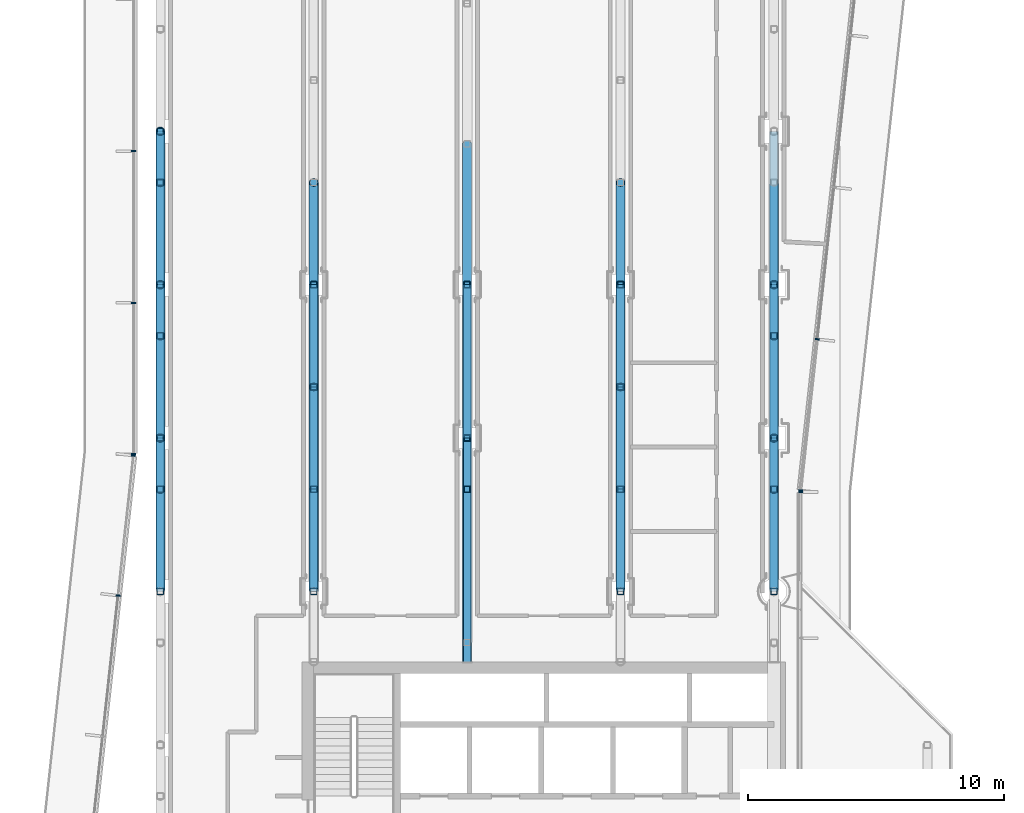
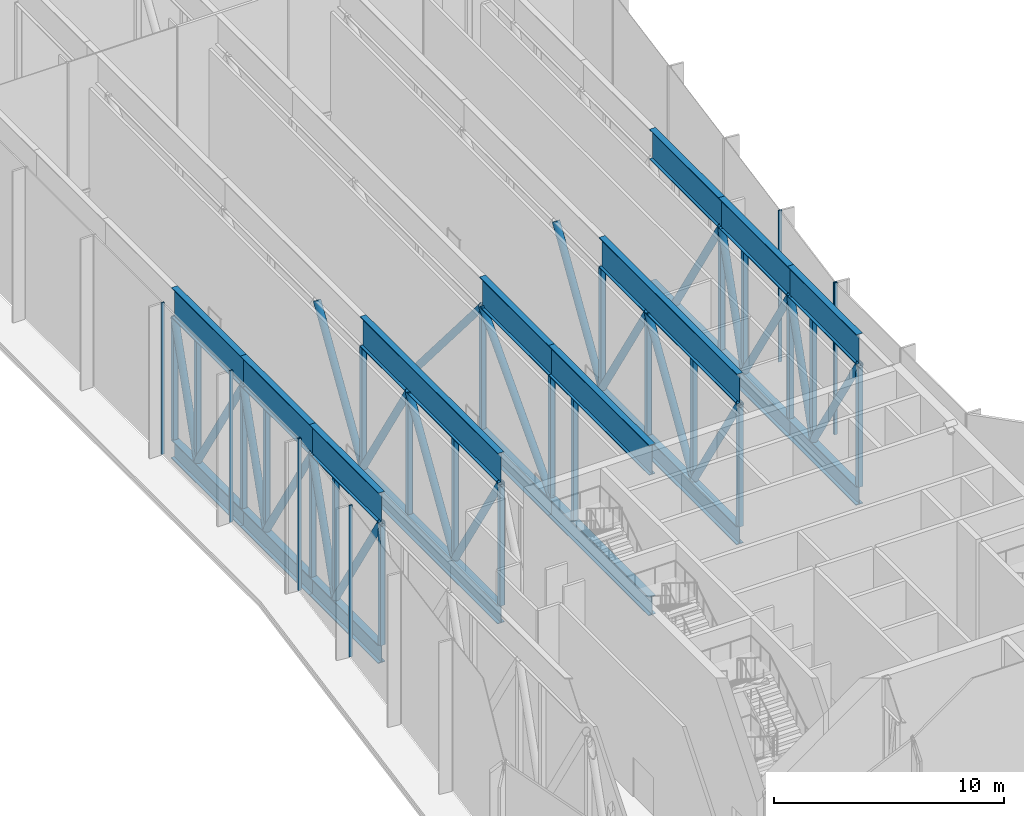
# One storey, part 5 of 21: 72 members, 4 elements without a shape of their own.
"""IFC4 building model written with IfcOpenShell, lengths in metres."""

from ifc_helpers import new_model, si_unit, direction, frame, origin, origin_2d, place, context, subcontext, project, spatial, rectangle, hollow_rectangle, hollow_circle, i_section, extrude, material, layer, layer_set, material_profile, profile_set, type_object, element, aggregate, save


model = new_model("IFC4")

# Units and contexts
model_context = context("Model", 3, precision=1e-05, world=origin(), true_north=direction((0.0, 1.0)))
body_context = subcontext(model_context, "Body", "Model", "MODEL_VIEW")
ifc_project = project(units=[si_unit("LENGTHUNIT", "METRE"), si_unit("AREAUNIT", "SQUARE_METRE"), si_unit("VOLUMEUNIT", "CUBIC_METRE"), si_unit("PLANEANGLEUNIT", "RADIAN"), si_unit("MASSUNIT", "GRAM", prefix="KILO")], contexts=[model_context])

# Site, building, storey
site_placement = place(None, origin())
site = spatial("IfcSite", under=ifc_project, at=site_placement, CompositionType="ELEMENT")
building_placement = place(site_placement, origin())
building = spatial("IfcBuilding", under=site, at=building_placement, Name="Welwitschia Terrace Campus", CompositionType="ELEMENT")
storey_placement = place(building_placement, frame((0.0, 0.0, 255.800048828125)))
storey = spatial("IfcBuildingStorey", under=building, at=storey_placement, Name="L57", CompositionType="ELEMENT", Elevation=255.800048828125)

# Curtain wall, member
ifc_material_1 = material(Name="Bronze anodised aluminium", Category="aluminium")
ifc_layer = layer(ifc_material_1, 0.159912109375)
ifc_layer_set = layer_set([ifc_layer], Name="Bronze anodised aluminium")
curtain_wall_type = type_object("IfcCurtainWallType", Name="Curtain wall CW3 commons 6000", PredefinedType="NOTDEFINED", material=ifc_layer_set)
curtain_wall_1_placement = place(storey_placement, origin())
curtain_wall_1 = element("IfcCurtainWall", 1, at=curtain_wall_1_placement, inside=storey, type_object=curtain_wall_type, Name="CW L57.3.0", PredefinedType="NOTDEFINED")
ifc_material_2 = material(Name="Bronze anodised aluminium", Category="aluminium")
ifc_material_profile_1 = material_profile(ifc_material_2, rectangle(XDim=0.159912109375, YDim=0.06005859375, at=origin_2d()))
ifc_profile_set_1 = profile_set([ifc_material_profile_1], Name="Bronze anodised aluminium")
member_type_1 = type_object("IfcMemberType", Name="Mullion 60x160", PredefinedType="MULLION", material=ifc_profile_set_1)
member_1_placement = place(storey_placement, frame((25.050048828125, 31.89111328125, 0.0), z_axis=(0.0, 0.0, 1.0), x_axis=(-1.0, 0.0, 0.0)))
member_1 = element("IfcMember", 2, at=member_1_placement, type_object=member_type_1, Name="Mullion L57.3.0.2", PredefinedType="MULLION", context=body_context, shape_type="SweptSolid", body=[
    extrude(rectangle(XDim=0.159912109375, YDim=0.06005859375, at=origin_2d()), origin(), (0.0, 0.0, 1.0), 8.050048828125),
])
aggregate(curtain_wall_1, [member_1])

# Curtain wall, members
curtain_wall_2_placement = place(storey_placement, origin())
curtain_wall_2 = element("IfcCurtainWall", 3, at=curtain_wall_2_placement, inside=storey, type_object=curtain_wall_type, Name="CW L57.4.0", PredefinedType="NOTDEFINED")
member_2_placement = place(storey_placement, frame((25.05322265625, 31.950927734375, 0.0), z_axis=(0.0, 0.0, 1.0), x_axis=(-0.994056338222, 0.108866874852, 0.0)))
member_2 = element("IfcMember", 4, at=member_2_placement, type_object=member_type_1, Name="Mullion L57.4.0.0", PredefinedType="MULLION", context=body_context, shape_type="SweptSolid", body=[
    extrude(rectangle(XDim=0.159912109375, YDim=0.06005859375, at=origin_2d()), origin(), (0.0, 0.0, 1.0), 8.050048828125),
])
member_3_placement = place(storey_placement, frame((25.701171875, 37.8662109375, 0.0), z_axis=(0.0, 0.0, 1.0), x_axis=(-0.994056338222, 0.108866874852, 0.0)))
member_3 = element("IfcMember", 5, at=member_3_placement, type_object=member_type_1, Name="Mullion L57.4.0.1", PredefinedType="MULLION", context=body_context, shape_type="SweptSolid", body=[
    extrude(rectangle(XDim=0.159912109375, YDim=0.06005859375, at=origin_2d()), origin(), (0.0, 0.0, 1.0), 8.050048828125),
])
aggregate(curtain_wall_2, [member_2, member_3])

curtain_wall_3_placement = place(storey_placement, origin())
curtain_wall_3 = element("IfcCurtainWall", 6, at=curtain_wall_3_placement, inside=storey, type_object=curtain_wall_type, Name="CW L57.7.0", PredefinedType="NOTDEFINED")
member_4_placement = place(storey_placement, frame((-1.050048828125, 45.2275390625, 0.0), z_axis=(0.0, 0.0, 1.0), x_axis=(1.0, 0.0, 0.0)))
member_4 = element("IfcMember", 7, at=member_4_placement, type_object=member_type_1, Name="Mullion L57.7.0.3", PredefinedType="MULLION", context=body_context, shape_type="SweptSolid", body=[
    extrude(rectangle(XDim=0.159912109375, YDim=0.06005859375, at=origin_2d()), origin(), (0.0, 0.0, 1.0), 8.050048828125),
])
member_5_placement = place(storey_placement, frame((-1.050048828125, 39.286865234375, 0.0), z_axis=(0.0, 0.0, 1.0), x_axis=(1.0, 0.0, 0.0)))
member_5 = element("IfcMember", 8, at=member_5_placement, type_object=member_type_1, Name="Mullion L57.7.0.4", PredefinedType="MULLION", context=body_context, shape_type="SweptSolid", body=[
    extrude(rectangle(XDim=0.159912109375, YDim=0.06005859375, at=origin_2d()), origin(), (0.0, 0.0, 1.0), 8.050048828125),
])
member_6_placement = place(storey_placement, frame((-1.050048828125, 33.3759765625, 0.0), z_axis=(0.0, 0.0, 1.0), x_axis=(1.0, 0.0, 0.0)))
member_6 = element("IfcMember", 9, at=member_6_placement, type_object=member_type_1, Name="Mullion L57.7.0.5", PredefinedType="MULLION", context=body_context, shape_type="SweptSolid", body=[
    extrude(rectangle(XDim=0.159912109375, YDim=0.06005859375, at=origin_2d()), origin(), (0.0, 0.0, 1.0), 8.050048828125),
])
aggregate(curtain_wall_3, [member_4, member_5, member_6])

curtain_wall_4_placement = place(storey_placement, origin())
curtain_wall_4 = element("IfcCurtainWall", 10, at=curtain_wall_4_placement, inside=storey, type_object=curtain_wall_type, Name="CW L57.8.0", PredefinedType="NOTDEFINED")
member_7_placement = place(storey_placement, frame((-1.05322265625, 33.316162109375, 0.0), z_axis=(0.0, 0.0, 1.0), x_axis=(0.994056338222, -0.108866874852, 0.0)))
member_7 = element("IfcMember", 11, at=member_7_placement, type_object=member_type_1, Name="Mullion L57.8.0.0", PredefinedType="MULLION", context=body_context, shape_type="SweptSolid", body=[
    extrude(rectangle(XDim=0.159912109375, YDim=0.06005859375, at=origin_2d()), origin(), (0.0, 0.0, 1.0), 8.050048828125),
])
member_8_placement = place(storey_placement, frame((-1.653076171875, 27.839599609375, 0.0), z_axis=(0.0, 0.0, 1.0), x_axis=(0.994056338222, -0.108866874852, 0.0)))
member_8 = element("IfcMember", 12, at=member_8_placement, type_object=member_type_1, Name="Mullion L57.8.0.1", PredefinedType="MULLION", context=body_context, shape_type="SweptSolid", body=[
    extrude(rectangle(XDim=0.159912109375, YDim=0.06005859375, at=origin_2d()), origin(), (0.0, 0.0, 1.0), 8.050048828125),
])
aggregate(curtain_wall_4, [member_7, member_8])

# Members
ifc_material_3 = material(Name="Steel S355", Category="steel")
ifc_material_profile_2 = material_profile(ifc_material_3, i_section(OverallWidth=0.35009765625, OverallDepth=1.0, WebThickness=0.02490234375, FlangeThickness=0.0400390625, at=origin_2d()))
ifc_profile_set_2 = profile_set([ifc_material_profile_2], Name="Steel S355")
member_type_2 = type_object("IfcMemberType", Name="Transfer truss C4 bottom chord WI 1000x350x25x40", PredefinedType="CHORD", material=ifc_profile_set_2)
for number, where, z_axis, x_axis, name in (
    (13, (0.0, 28.0, -0.5), (0.0, 1.0, 0.0), (-1.0, 0.0, 0.0), "Truss bottom chord"),
    (14, (0.0, 34.0, -0.5), (0.0, 1.0, 0.0), (-1.0, 0.0, 0.0), "Truss bottom chord"),
    (15, (0.0, 40.0, -0.5), (0.0, 1.0, 0.0), (-1.0, 0.0, 0.0), "Truss bottom chord"),
):
    element("IfcMember", number, at=place(storey_placement, frame(where, z_axis=z_axis, x_axis=x_axis)), inside=storey, type_object=member_type_2, Name=name, PredefinedType="CHORD", context=body_context, shape_type="SweptSolid", body=[
        extrude(i_section(OverallWidth=0.35009765625, OverallDepth=1.0, WebThickness=0.02490234375, FlangeThickness=0.0400390625, at=origin_2d()), origin(), (0.0, 0.0, 1.0), 6.0),
    ])
member_9_placement = place(storey_placement, frame((6.0, 28.0, -0.5), z_axis=(0.0, 1.0, 0.0), x_axis=(-1.0, 0.0, 0.0)))
element("IfcMember", 16, at=member_9_placement, inside=storey, type_object=member_type_2, Name="Truss bottom chord", PredefinedType="CHORD", context=body_context, shape_type="SweptSolid", body=[
    extrude(i_section(OverallWidth=0.35009765625, OverallDepth=1.0, WebThickness=0.02490234375, FlangeThickness=0.0400390625, at=origin_2d()), origin(), (0.0, 0.0, 1.0), 12.0),
])
member_10_placement = place(storey_placement, frame((12.0, 25.25, -0.5), z_axis=(0.0, 1.0, 0.0), x_axis=(-1.0, 0.0, 0.0)))
element("IfcMember", 17, at=member_10_placement, inside=storey, type_object=member_type_2, Name="Truss bottom chord", PredefinedType="CHORD", context=body_context, shape_type="SweptSolid", body=[
    extrude(i_section(OverallWidth=0.35009765625, OverallDepth=1.0, WebThickness=0.02490234375, FlangeThickness=0.0400390625, at=origin_2d()), origin(), (0.0, 0.0, 1.0), 8.75),
])
member_11_placement = place(storey_placement, frame((12.0, 34.0, -0.5), z_axis=(0.0, 1.0, 0.0), x_axis=(-1.0, 0.0, 0.0)))
element("IfcMember", 18, at=member_11_placement, inside=storey, type_object=member_type_2, Name="Truss bottom chord", PredefinedType="CHORD", context=body_context, shape_type="SweptSolid", body=[
    extrude(i_section(OverallWidth=0.35009765625, OverallDepth=1.0, WebThickness=0.02490234375, FlangeThickness=0.0400390625, at=origin_2d()), origin(), (0.0, 0.0, 1.0), 6.0),
])
member_12_placement = place(storey_placement, frame((18.0, 28.0, -0.5), z_axis=(0.0, 1.0, 0.0), x_axis=(-1.0, 0.0, 0.0)))
element("IfcMember", 19, at=member_12_placement, inside=storey, type_object=member_type_2, Name="Truss bottom chord", PredefinedType="CHORD", context=body_context, shape_type="SweptSolid", body=[
    extrude(i_section(OverallWidth=0.35009765625, OverallDepth=1.0, WebThickness=0.02490234375, FlangeThickness=0.0400390625, at=origin_2d()), origin(), (0.0, 0.0, 1.0), 12.0),
])
for number, where, z_axis, x_axis, name in (
    (20, (24.0, 28.0, -0.5), (0.0, 1.0, 0.0), (-1.0, 0.0, 0.0), "Truss bottom chord"),
    (21, (24.0, 34.0, -0.5), (0.0, 1.0, 0.0), (-1.0, 0.0, 0.0), "Truss bottom chord"),
    (22, (24.0, 40.0, -0.5), (0.0, 1.0, 0.0), (-1.0, 0.0, 0.0), "Truss bottom chord"),
):
    element("IfcMember", number, at=place(storey_placement, frame(where, z_axis=z_axis, x_axis=x_axis)), inside=storey, type_object=member_type_2, Name=name, PredefinedType="CHORD", context=body_context, shape_type="SweptSolid", body=[
        extrude(i_section(OverallWidth=0.35009765625, OverallDepth=1.0, WebThickness=0.02490234375, FlangeThickness=0.0400390625, at=origin_2d()), origin(), (0.0, 0.0, 1.0), 6.0),
    ])
ifc_material_4 = material(Name="Steel S355", Category="steel")
ifc_material_profile_3 = material_profile(ifc_material_4, hollow_circle(Radius=0.177734375, WallThickness=0.01611328125, at=origin_2d()))
ifc_profile_set_3 = profile_set([ifc_material_profile_3], Name="Steel S355")
member_type_3 = type_object("IfcMemberType", Name="Transfer truss C4 diagonal CHS 355.6x16", PredefinedType="BRACE", material=ifc_profile_set_3)
member_13_placement = place(storey_placement, frame((0.0, 32.0, 0.0), z_axis=(0.0, -0.527037721004, 0.849841891553), x_axis=(1.0, 0.0, 0.0)))
element("IfcMember", 23, at=member_13_placement, inside=storey, type_object=member_type_3, Name="Truss diagonal", PredefinedType="BRACE", context=body_context, shape_type="SweptSolid", body=[
    extrude(hollow_circle(Radius=0.177734375, WallThickness=0.01611328125, at=origin_2d()), origin(), (0.0, 0.0, 1.0), 7.589599609375),
])
member_14_placement = place(storey_placement, frame((0.0, 32.0, 0.0), z_axis=(0.0, 0.296168365803, 0.955135749042), x_axis=(-1.0, 0.0, 0.0)))
element("IfcMember", 24, at=member_14_placement, inside=storey, type_object=member_type_3, Name="Truss diagonal", PredefinedType="BRACE", context=body_context, shape_type="SweptSolid", body=[
    extrude(hollow_circle(Radius=0.177734375, WallThickness=0.01611328125, at=origin_2d()), origin(), (0.0, 0.0, 1.0), 6.7529296875),
])
member_15_placement = place(storey_placement, frame((0.0, 38.0, 0.0), z_axis=(0.0, -0.527037721004, 0.849841891553), x_axis=(1.0, 0.0, 0.0)))
element("IfcMember", 25, at=member_15_placement, inside=storey, type_object=member_type_3, Name="Truss diagonal", PredefinedType="BRACE", context=body_context, shape_type="SweptSolid", body=[
    extrude(hollow_circle(Radius=0.177734375, WallThickness=0.01611328125, at=origin_2d()), origin(), (0.0, 0.0, 1.0), 7.589599609375),
])
member_16_placement = place(storey_placement, frame((0.0, 38.0, 0.0), z_axis=(0.0, 0.296168365803, 0.955135749042), x_axis=(-1.0, 0.0, 0.0)))
element("IfcMember", 26, at=member_16_placement, inside=storey, type_object=member_type_3, Name="Truss diagonal", PredefinedType="BRACE", context=body_context, shape_type="SweptSolid", body=[
    extrude(hollow_circle(Radius=0.177734375, WallThickness=0.01611328125, at=origin_2d()), origin(), (0.0, 0.0, 1.0), 6.7529296875),
])
member_17_placement = place(storey_placement, frame((0.0, 44.0, 0.0), z_axis=(0.0, -0.527037721004, 0.849841891553), x_axis=(1.0, 0.0, 0.0)))
element("IfcMember", 27, at=member_17_placement, inside=storey, type_object=member_type_3, Name="Truss diagonal", PredefinedType="BRACE", context=body_context, shape_type="SweptSolid", body=[
    extrude(hollow_circle(Radius=0.177734375, WallThickness=0.01611328125, at=origin_2d()), origin(), (0.0, 0.0, 1.0), 7.589599609375),
])
member_18_placement = place(storey_placement, frame((0.0, 44.0, 0.0), z_axis=(0.0, 0.296168365803, 0.955135749042), x_axis=(-1.0, 0.0, 0.0)))
element("IfcMember", 28, at=member_18_placement, inside=storey, type_object=member_type_3, Name="Truss diagonal", PredefinedType="BRACE", context=body_context, shape_type="SweptSolid", body=[
    extrude(hollow_circle(Radius=0.177734375, WallThickness=0.01611328125, at=origin_2d()), origin(), (0.0, 0.0, 1.0), 6.7529296875),
])
for number, where, z_axis, x_axis, name in (
    (29, (6.0, 32.0, 0.0), (0.0, -0.527037721004, 0.849841891553), (1.0, 0.0, 0.0), "Truss diagonal"),
    (30, (6.0, 32.0, 0.0), (0.0, 0.527037721004, 0.849841891553), (-1.0, 0.0, 0.0), "Truss diagonal"),
    (31, (6.0, 40.0, 0.0), (0.0, -0.527037721004, 0.849841891553), (1.0, 0.0, 0.0), "Truss diagonal"),
    (32, (6.0, 40.0, 0.0), (0.0, 0.527037721004, 0.849841891553), (-1.0, 0.0, 0.0), "Truss diagonal"),
):
    element("IfcMember", number, at=place(storey_placement, frame(where, z_axis=z_axis, x_axis=x_axis)), inside=storey, type_object=member_type_3, Name=name, PredefinedType="BRACE", context=body_context, shape_type="SweptSolid", body=[
        extrude(hollow_circle(Radius=0.177734375, WallThickness=0.01611328125, at=origin_2d()), origin(), (0.0, 0.0, 1.0), 7.589599609375),
    ])
member_19_placement = place(storey_placement, frame((12.0, 34.0, 0.0), z_axis=(0.0, 0.681106706671, 0.732184166811), x_axis=(-1.0, 0.0, 0.0)))
element("IfcMember", 33, at=member_19_placement, inside=storey, type_object=member_type_3, Name="Truss diagonal", PredefinedType="BRACE", context=body_context, shape_type="SweptSolid", body=[
    extrude(hollow_circle(Radius=0.177734375, WallThickness=0.01611328125, at=origin_2d()), origin(), (0.0, 0.0, 1.0), 8.80908203125),
])
member_20_placement = place(storey_placement, frame((12.0, 45.5, 0.0), z_axis=(0.0, -0.648849017571, 0.760917178409), x_axis=(1.0, 0.0, 0.0)))
element("IfcMember", 34, at=member_20_placement, inside=storey, type_object=member_type_3, Name="Truss diagonal", PredefinedType="BRACE", context=body_context, shape_type="SweptSolid", body=[
    extrude(hollow_circle(Radius=0.177734375, WallThickness=0.01611328125, at=origin_2d()), origin(), (0.0, 0.0, 1.0), 8.4765625),
])
for number, where, z_axis, x_axis, name in (
    (35, (18.0, 32.0, 0.0), (0.0, -0.527037721004, 0.849841891553), (1.0, 0.0, 0.0), "Truss diagonal"),
    (36, (18.0, 32.0, 0.0), (0.0, 0.527037721004, 0.849841891553), (-1.0, 0.0, 0.0), "Truss diagonal"),
    (37, (18.0, 40.0, 0.0), (0.0, -0.527037721004, 0.849841891553), (1.0, 0.0, 0.0), "Truss diagonal"),
    (38, (18.0, 40.0, 0.0), (0.0, 0.527037721004, 0.849841891553), (-1.0, 0.0, 0.0), "Truss diagonal"),
    (39, (24.0, 32.0, 0.0), (0.0, -0.527037721004, 0.849841891553), (1.0, 0.0, 0.0), "Truss diagonal"),
):
    element("IfcMember", number, at=place(storey_placement, frame(where, z_axis=z_axis, x_axis=x_axis)), inside=storey, type_object=member_type_3, Name=name, PredefinedType="BRACE", context=body_context, shape_type="SweptSolid", body=[
        extrude(hollow_circle(Radius=0.177734375, WallThickness=0.01611328125, at=origin_2d()), origin(), (0.0, 0.0, 1.0), 7.589599609375),
    ])
member_21_placement = place(storey_placement, frame((24.0, 32.0, 0.0), z_axis=(0.0, 0.296168365803, 0.955135749042), x_axis=(-1.0, 0.0, 0.0)))
element("IfcMember", 40, at=member_21_placement, inside=storey, type_object=member_type_3, Name="Truss diagonal", PredefinedType="BRACE", context=body_context, shape_type="SweptSolid", body=[
    extrude(hollow_circle(Radius=0.177734375, WallThickness=0.01611328125, at=origin_2d()), origin(), (0.0, 0.0, 1.0), 6.7529296875),
])
member_22_placement = place(storey_placement, frame((24.0, 38.0, 0.0), z_axis=(0.0, -0.527037721004, 0.849841891553), x_axis=(1.0, 0.0, 0.0)))
element("IfcMember", 41, at=member_22_placement, inside=storey, type_object=member_type_3, Name="Truss diagonal", PredefinedType="BRACE", context=body_context, shape_type="SweptSolid", body=[
    extrude(hollow_circle(Radius=0.177734375, WallThickness=0.01611328125, at=origin_2d()), origin(), (0.0, 0.0, 1.0), 7.589599609375),
])
member_23_placement = place(storey_placement, frame((24.0, 38.0, 0.0), z_axis=(0.0, 0.296168365803, 0.955135749042), x_axis=(-1.0, 0.0, 0.0)))
element("IfcMember", 42, at=member_23_placement, inside=storey, type_object=member_type_3, Name="Truss diagonal", PredefinedType="BRACE", context=body_context, shape_type="SweptSolid", body=[
    extrude(hollow_circle(Radius=0.177734375, WallThickness=0.01611328125, at=origin_2d()), origin(), (0.0, 0.0, 1.0), 6.7529296875),
])
member_24_placement = place(storey_placement, frame((24.0, 44.0, 0.0), z_axis=(0.0, -0.527037721004, 0.849841891553), x_axis=(1.0, 0.0, 0.0)))
element("IfcMember", 43, at=member_24_placement, inside=storey, type_object=member_type_3, Name="Truss diagonal", PredefinedType="BRACE", context=body_context, shape_type="SweptSolid", body=[
    extrude(hollow_circle(Radius=0.177734375, WallThickness=0.01611328125, at=origin_2d()), origin(), (0.0, 0.0, 1.0), 7.589599609375),
])
ifc_material_5 = material(Name="Steel S355", Category="steel")
ifc_material_profile_4 = material_profile(ifc_material_5, hollow_rectangle(XDim=0.25, YDim=0.25, WallThickness=0.013916015625, InnerFilletRadius=0.013916015625, OuterFilletRadius=0.02099609375, at=origin_2d()))
ifc_profile_set_4 = profile_set([ifc_material_profile_4], Name="Steel S355")
member_type_4 = type_object("IfcMemberType", Name="Transfer truss C4 post SHS 250x250x14", PredefinedType="POST", material=ifc_profile_set_4)
for number, where, z_axis, x_axis, name in (
    (44, (0.0, 28.0, 0.0), (0.0, 0.0, 1.0), (1.0, 0.0, 0.0), "Truss post"),
    (45, (0.0, 32.0, 0.0), (0.0, 0.0, 1.0), (1.0, 0.0, 0.0), "Truss post"),
    (46, (0.0, 34.0, 0.0), (0.0, 0.0, 1.0), (1.0, 0.0, 0.0), "Truss post"),
    (47, (0.0, 38.0, 0.0), (0.0, 0.0, 1.0), (1.0, 0.0, 0.0), "Truss post"),
    (48, (0.0, 40.0, 0.0), (0.0, 0.0, 1.0), (1.0, 0.0, 0.0), "Truss post"),
    (49, (0.0, 44.0, 0.0), (0.0, 0.0, 1.0), (1.0, 0.0, 0.0), "Truss post"),
    (50, (0.0, 46.0, 0.0), (0.0, 0.0, 1.0), (1.0, 0.0, 0.0), "Truss post"),
    (51, (6.0, 28.0, 0.0), (0.0, 0.0, 1.0), (1.0, 0.0, 0.0), "Truss post"),
    (52, (6.0, 32.0, 0.0), (0.0, 0.0, 1.0), (1.0, 0.0, 0.0), "Truss post"),
    (53, (6.0, 36.0, 0.0), (0.0, 0.0, 1.0), (1.0, 0.0, 0.0), "Truss post"),
    (54, (6.0, 40.0, 0.0), (0.0, 0.0, 1.0), (1.0, 0.0, 0.0), "Truss post"),
    (55, (12.0, 32.0, 0.0), (0.0, 0.0, 1.0), (1.0, 0.0, 0.0), "Truss post"),
    (56, (12.0, 34.0, 0.0), (0.0, 0.0, 1.0), (1.0, 0.0, 0.0), "Truss post"),
    (57, (12.0, 40.0, 0.0), (0.0, 0.0, 1.0), (1.0, 0.0, 0.0), "Truss post"),
    (58, (18.0, 28.0, 0.0), (0.0, 0.0, 1.0), (1.0, 0.0, 0.0), "Truss post"),
    (59, (18.0, 32.0, 0.0), (0.0, 0.0, 1.0), (1.0, 0.0, 0.0), "Truss post"),
    (60, (18.0, 36.0, 0.0), (0.0, 0.0, 1.0), (1.0, 0.0, 0.0), "Truss post"),
    (61, (18.0, 40.0, 0.0), (0.0, 0.0, 1.0), (1.0, 0.0, 0.0), "Truss post"),
    (62, (24.0, 28.0, 0.0), (0.0, 0.0, 1.0), (1.0, 0.0, 0.0), "Truss post"),
    (63, (24.0, 32.0, 0.0), (0.0, 0.0, 1.0), (1.0, 0.0, 0.0), "Truss post"),
    (64, (24.0, 34.0, 0.0), (0.0, 0.0, 1.0), (1.0, 0.0, 0.0), "Truss post"),
    (65, (24.0, 38.0, 0.0), (0.0, 0.0, 1.0), (1.0, 0.0, 0.0), "Truss post"),
    (66, (24.0, 40.0, 0.0), (0.0, 0.0, 1.0), (1.0, 0.0, 0.0), "Truss post"),
):
    element("IfcMember", number, at=place(storey_placement, frame(where, z_axis=z_axis, x_axis=x_axis)), inside=storey, type_object=member_type_4, Name=name, PredefinedType="POST", context=body_context, shape_type="SweptSolid", body=[
        extrude(hollow_rectangle(XDim=0.25, YDim=0.25, WallThickness=0.013916015625, InnerFilletRadius=0.013916015625, OuterFilletRadius=0.02099609375, at=origin_2d()), origin(), (0.0, 0.0, 1.0), 6.449951171875),
    ])
ifc_material_6 = material(Name="Steel S355", Category="steel")
ifc_material_profile_5 = material_profile(ifc_material_6, i_section(OverallWidth=0.300048828125, OverallDepth=1.60009765625, WebThickness=0.02490234375, FlangeThickness=0.0400390625, at=origin_2d()))
ifc_profile_set_5 = profile_set([ifc_material_profile_5], Name="Steel S355")
member_type_5 = type_object("IfcMemberType", Name="Transfer truss C4 top chord WI 1600x300x25x40", PredefinedType="CHORD", material=ifc_profile_set_5)
for number, where, z_axis, x_axis, name in (
    (67, (0.0, 28.0, 7.25), (0.0, 1.0, 0.0), (-1.0, 0.0, 0.0), "Truss top chord"),
    (68, (0.0, 34.0, 7.25), (0.0, 1.0, 0.0), (-1.0, 0.0, 0.0), "Truss top chord"),
    (69, (0.0, 40.0, 7.25), (0.0, 1.0, 0.0), (-1.0, 0.0, 0.0), "Truss top chord"),
):
    element("IfcMember", number, at=place(storey_placement, frame(where, z_axis=z_axis, x_axis=x_axis)), inside=storey, type_object=member_type_5, Name=name, PredefinedType="CHORD", context=body_context, shape_type="SweptSolid", body=[
        extrude(i_section(OverallWidth=0.300048828125, OverallDepth=1.60009765625, WebThickness=0.02490234375, FlangeThickness=0.0400390625, at=origin_2d()), origin(), (0.0, 0.0, 1.0), 6.0),
    ])
member_25_placement = place(storey_placement, frame((6.0, 28.0, 7.25), z_axis=(0.0, 1.0, 0.0), x_axis=(-1.0, 0.0, 0.0)))
element("IfcMember", 70, at=member_25_placement, inside=storey, type_object=member_type_5, Name="Truss top chord", PredefinedType="CHORD", context=body_context, shape_type="SweptSolid", body=[
    extrude(i_section(OverallWidth=0.300048828125, OverallDepth=1.60009765625, WebThickness=0.02490234375, FlangeThickness=0.0400390625, at=origin_2d()), origin(), (0.0, 0.0, 1.0), 12.0),
])
member_26_placement = place(storey_placement, frame((12.0, 25.25, 7.25), z_axis=(0.0, 1.0, 0.0), x_axis=(-1.0, 0.0, 0.0)))
element("IfcMember", 71, at=member_26_placement, inside=storey, type_object=member_type_5, Name="Truss top chord", PredefinedType="CHORD", context=body_context, shape_type="SweptSolid", body=[
    extrude(i_section(OverallWidth=0.300048828125, OverallDepth=1.60009765625, WebThickness=0.02490234375, FlangeThickness=0.0400390625, at=origin_2d()), origin(), (0.0, 0.0, 1.0), 8.75),
])
member_27_placement = place(storey_placement, frame((12.0, 34.0, 7.25), z_axis=(0.0, 1.0, 0.0), x_axis=(-1.0, 0.0, 0.0)))
element("IfcMember", 72, at=member_27_placement, inside=storey, type_object=member_type_5, Name="Truss top chord", PredefinedType="CHORD", context=body_context, shape_type="SweptSolid", body=[
    extrude(i_section(OverallWidth=0.300048828125, OverallDepth=1.60009765625, WebThickness=0.02490234375, FlangeThickness=0.0400390625, at=origin_2d()), origin(), (0.0, 0.0, 1.0), 6.0),
])
member_28_placement = place(storey_placement, frame((18.0, 28.0, 7.25), z_axis=(0.0, 1.0, 0.0), x_axis=(-1.0, 0.0, 0.0)))
element("IfcMember", 73, at=member_28_placement, inside=storey, type_object=member_type_5, Name="Truss top chord", PredefinedType="CHORD", context=body_context, shape_type="SweptSolid", body=[
    extrude(i_section(OverallWidth=0.300048828125, OverallDepth=1.60009765625, WebThickness=0.02490234375, FlangeThickness=0.0400390625, at=origin_2d()), origin(), (0.0, 0.0, 1.0), 12.0),
])
for number, where, z_axis, x_axis, name in (
    (74, (24.0, 28.0, 7.25), (0.0, 1.0, 0.0), (-1.0, 0.0, 0.0), "Truss top chord"),
    (75, (24.0, 34.0, 7.25), (0.0, 1.0, 0.0), (-1.0, 0.0, 0.0), "Truss top chord"),
    (76, (24.0, 40.0, 7.25), (0.0, 1.0, 0.0), (-1.0, 0.0, 0.0), "Truss top chord"),
):
    element("IfcMember", number, at=place(storey_placement, frame(where, z_axis=z_axis, x_axis=x_axis)), inside=storey, type_object=member_type_5, Name=name, PredefinedType="CHORD", context=body_context, shape_type="SweptSolid", body=[
        extrude(i_section(OverallWidth=0.300048828125, OverallDepth=1.60009765625, WebThickness=0.02490234375, FlangeThickness=0.0400390625, at=origin_2d()), origin(), (0.0, 0.0, 1.0), 6.0),
    ])

save(model, "model.ifc")
